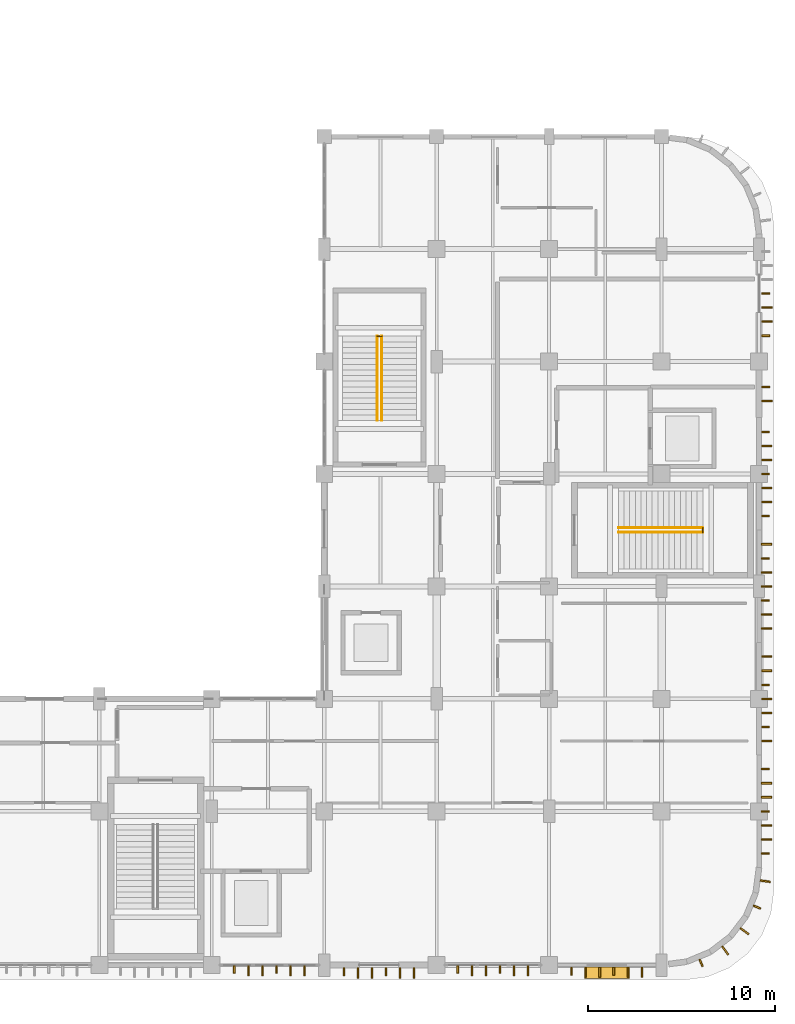
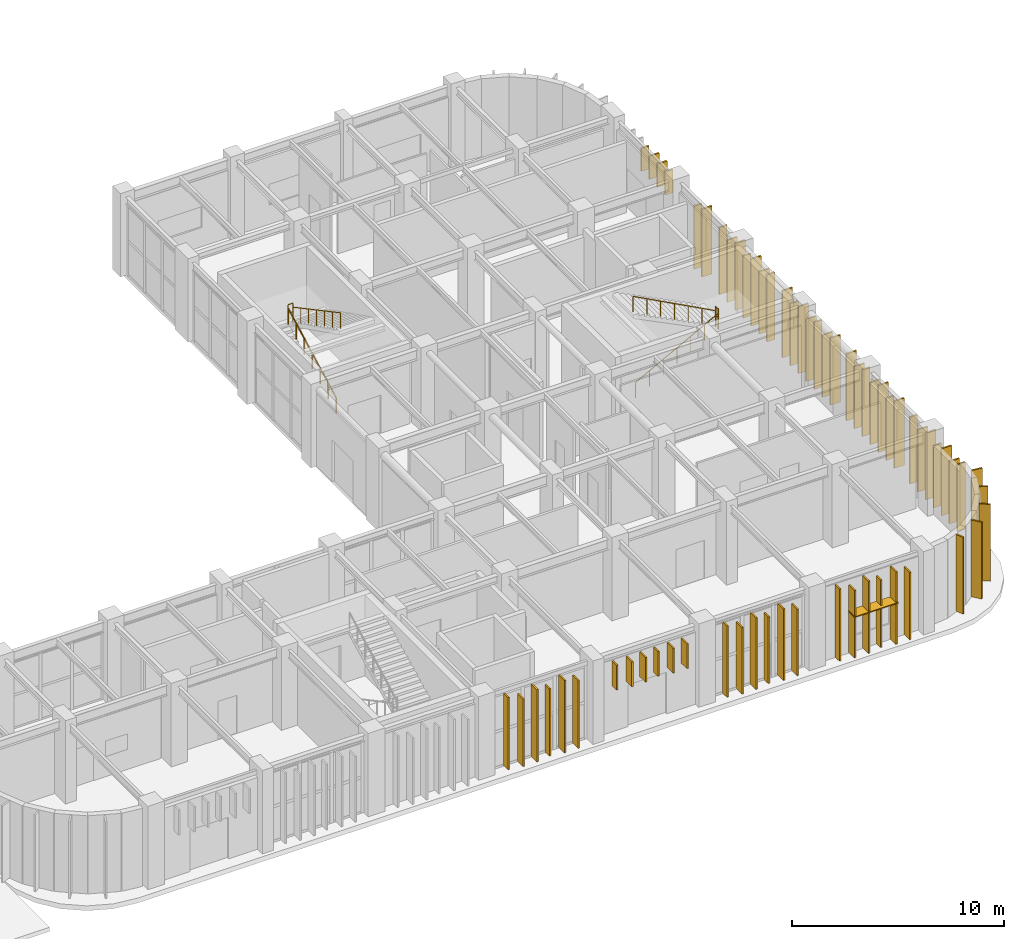
# One storey, part 73 of 76: 63 coverings, 6 railings, 1 shading device.
"""IFC4 building model written with IfcOpenShell, lengths in metres."""

from ifc_helpers import new_model, si_unit, direction, frame, origin, origin_2d, place, context, subcontext, project, spatial, rectangle, circle, extrude, material, layer, layer_set, type_object, element, save


model = new_model("IFC4")

# Units and contexts
model_context = context("Model", 3, precision=1e-05, world=origin(), true_north=direction((0.0, 1.0)))
body_context = subcontext(model_context, "Body", "Model", "MODEL_VIEW")
ifc_project = project(units=[si_unit("LENGTHUNIT", "METRE"), si_unit("AREAUNIT", "SQUARE_METRE"), si_unit("VOLUMEUNIT", "CUBIC_METRE"), si_unit("PLANEANGLEUNIT", "RADIAN"), si_unit("MASSUNIT", "GRAM", prefix="KILO")], contexts=[model_context])

# Site, building, storey
site_placement = place(None, origin())
site = spatial("IfcSite", under=ifc_project, at=site_placement, CompositionType="ELEMENT")
building_placement = place(site_placement, origin())
building = spatial("IfcBuilding", under=site, at=building_placement, Name="Varnakota Square Police Headquarters", CompositionType="ELEMENT")
storey_placement = place(building_placement, origin())
storey = spatial("IfcBuildingStorey", under=building, at=storey_placement, Name="L00", CompositionType="ELEMENT", Elevation=0.0)

# Coverings
ifc_material_1 = material(Name="White Anodised Aluminium Vertical Facade Blade 420", Category="aluminium")
ifc_layer_1 = layer(ifc_material_1, 0.0849609375, Name="White Anodised Aluminium Vertical Facade Blade 420")
ifc_layer_set_1 = layer_set([ifc_layer_1], Name="White Anodised Aluminium Vertical Facade Blade 420")
covering_type_1 = type_object("IfcCoveringType", Name="COV-FIN-420", PredefinedType="CLADDING", material=ifc_layer_set_1)
covering_1_placement = place(storey_placement, frame((133.199951171875, 0.5576171875, 0.0400390625), z_axis=(0.0, 0.0, 1.0), x_axis=(1.0, 0.0, 0.0)))
element("IfcCovering", 1, at=covering_1_placement, inside=storey, type_object=covering_type_1, Name="Vertical aluminium facade fin FIN-0157", PredefinedType="CLADDING", context=body_context, shape_type="SweptSolid", body=[
    extrude(rectangle(XDim=0.0849609375, YDim=0.419921875, at=origin_2d()), origin(), (0.0, 0.0, 1.0), 4.159912109375),
])
covering_2_placement = place(storey_placement, frame((135.449951171875, 0.5576171875, 0.0400390625), z_axis=(0.0, 0.0, 1.0), x_axis=(1.0, 0.0, 0.0)))
element("IfcCovering", 2, at=covering_2_placement, inside=storey, type_object=covering_type_1, Name="Vertical aluminium facade fin FIN-0160", PredefinedType="CLADDING", context=body_context, shape_type="SweptSolid", body=[
    extrude(rectangle(XDim=0.0849609375, YDim=0.419921875, at=origin_2d()), origin(), (0.0, 0.0, 1.0), 3.8798828125),
])
for number, where, z_axis, x_axis, name in (
    (3, (139.050048828125, 0.445068359375, 2.64990234375), (0.0, 0.0, 1.0), (1.0, 0.0, 0.0), "Vertical aluminium facade fin FIN-0163"),
    (4, (141.300048828125, 0.445068359375, 2.64990234375), (0.0, 0.0, 1.0), (1.0, 0.0, 0.0), "Vertical aluminium facade fin FIN-0166"),
):
    element("IfcCovering", number, at=place(storey_placement, frame(where, z_axis=z_axis, x_axis=x_axis)), inside=storey, type_object=covering_type_1, Name=name, PredefinedType="CLADDING", context=body_context, shape_type="SweptSolid", body=[
        extrude(rectangle(XDim=0.0849609375, YDim=0.419921875, at=origin_2d()), origin(), (0.0, 0.0, 1.0), 1.429931640625),
    ])
covering_3_placement = place(storey_placement, frame((145.125, 0.5576171875, 0.0400390625), z_axis=(0.0, 0.0, 1.0), x_axis=(1.0, 0.0, 0.0)))
element("IfcCovering", 5, at=covering_3_placement, inside=storey, type_object=covering_type_1, Name="Vertical aluminium facade fin FIN-0169", PredefinedType="CLADDING", context=body_context, shape_type="SweptSolid", body=[
    extrude(rectangle(XDim=0.0849609375, YDim=0.419921875, at=origin_2d()), origin(), (0.0, 0.0, 1.0), 4.110107421875),
])
covering_4_placement = place(storey_placement, frame((147.375, 0.5576171875, 0.0400390625), z_axis=(0.0, 0.0, 1.0), x_axis=(1.0, 0.0, 0.0)))
element("IfcCovering", 6, at=covering_4_placement, inside=storey, type_object=covering_type_1, Name="Vertical aluminium facade fin FIN-0172", PredefinedType="CLADDING", context=body_context, shape_type="SweptSolid", body=[
    extrude(rectangle(XDim=0.0849609375, YDim=0.419921875, at=origin_2d()), origin(), (0.0, 0.0, 1.0), 3.830078125),
])
covering_5_placement = place(storey_placement, frame((151.199951171875, 0.47509765625, 0.0400390625), z_axis=(0.0, 0.0, 1.0), x_axis=(1.0, 0.0, 0.0)))
element("IfcCovering", 7, at=covering_5_placement, inside=storey, type_object=covering_type_1, Name="Vertical aluminium facade fin FIN-0175", PredefinedType="CLADDING", context=body_context, shape_type="SweptSolid", body=[
    extrude(rectangle(XDim=0.0849609375, YDim=0.419921875, at=origin_2d()), origin(), (0.0, 0.0, 1.0), 4.159912109375),
])
covering_6_placement = place(storey_placement, frame((153.449951171875, 0.47509765625, 0.0400390625), z_axis=(0.0, 0.0, 1.0), x_axis=(1.0, 0.0, 0.0)))
element("IfcCovering", 8, at=covering_6_placement, inside=storey, type_object=covering_type_1, Name="Vertical aluminium facade fin FIN-0178", PredefinedType="CLADDING", context=body_context, shape_type="SweptSolid", body=[
    extrude(rectangle(XDim=0.0849609375, YDim=0.419921875, at=origin_2d()), origin(), (0.0, 0.0, 1.0), 3.8798828125),
])
covering_7_placement = place(storey_placement, frame((161.52490234375, 6.75, 0.0400390625), z_axis=(0.0, 0.0, 1.0), x_axis=(0.0, 1.0, 0.0)))
element("IfcCovering", 9, at=covering_7_placement, inside=storey, type_object=covering_type_1, Name="Vertical aluminium facade fin FIN-0181", PredefinedType="CLADDING", context=body_context, shape_type="SweptSolid", body=[
    extrude(rectangle(XDim=0.0849609375, YDim=0.419921875, at=origin_2d()), origin(), (0.0, 0.0, 1.0), 3.860107421875),
])
covering_8_placement = place(storey_placement, frame((161.52490234375, 9.0, 0.0400390625), z_axis=(0.0, 0.0, 1.0), x_axis=(0.0, 1.0, 0.0)))
element("IfcCovering", 10, at=covering_8_placement, inside=storey, type_object=covering_type_1, Name="Vertical aluminium facade fin FIN-0184", PredefinedType="CLADDING", context=body_context, shape_type="SweptSolid", body=[
    extrude(rectangle(XDim=0.0849609375, YDim=0.419921875, at=origin_2d()), origin(), (0.0, 0.0, 1.0), 3.580078125),
])
covering_9_placement = place(storey_placement, frame((161.52490234375, 11.25, 0.0400390625), z_axis=(0.0, 0.0, 1.0), x_axis=(0.0, 1.0, 0.0)))
element("IfcCovering", 11, at=covering_9_placement, inside=storey, type_object=covering_type_1, Name="Vertical aluminium facade fin FIN-0187", PredefinedType="CLADDING", context=body_context, shape_type="SweptSolid", body=[
    extrude(rectangle(XDim=0.0849609375, YDim=0.419921875, at=origin_2d()), origin(), (0.0, 0.0, 1.0), 3.860107421875),
])
covering_10_placement = place(storey_placement, frame((161.544921875, 13.5, 0.0400390625), z_axis=(0.0, 0.0, 1.0), x_axis=(0.0, 1.0, 0.0)))
element("IfcCovering", 12, at=covering_10_placement, inside=storey, type_object=covering_type_1, Name="Vertical aluminium facade fin FIN-0189", PredefinedType="CLADDING", context=body_context, shape_type="SweptSolid", body=[
    extrude(rectangle(XDim=0.0849609375, YDim=0.419921875, at=origin_2d()), origin(), (0.0, 0.0, 1.0), 3.580078125),
])
for number, where, z_axis, x_axis, name in (
    (13, (161.544921875, 15.75, 0.0400390625), (0.0, 0.0, 1.0), (0.0, 1.0, 0.0), "Vertical aluminium facade fin FIN-0192"),
    (14, (161.52490234375, 20.25, 0.0400390625), (0.0, 0.0, 1.0), (0.0, 1.0, 0.0), "Vertical aluminium facade fin FIN-0197"),
):
    element("IfcCovering", number, at=place(storey_placement, frame(where, z_axis=z_axis, x_axis=x_axis)), inside=storey, type_object=covering_type_1, Name=name, PredefinedType="CLADDING", context=body_context, shape_type="SweptSolid", body=[
        extrude(rectangle(XDim=0.0849609375, YDim=0.419921875, at=origin_2d()), origin(), (0.0, 0.0, 1.0), 3.860107421875),
    ])
covering_11_placement = place(storey_placement, frame((161.52490234375, 22.5, 0.0400390625), z_axis=(0.0, 0.0, 1.0), x_axis=(0.0, 1.0, 0.0)))
element("IfcCovering", 15, at=covering_11_placement, inside=storey, type_object=covering_type_1, Name="Vertical aluminium facade fin FIN-0200", PredefinedType="CLADDING", context=body_context, shape_type="SweptSolid", body=[
    extrude(rectangle(XDim=0.0849609375, YDim=0.419921875, at=origin_2d()), origin(), (0.0, 0.0, 1.0), 3.580078125),
])
covering_12_placement = place(storey_placement, frame((161.544921875, 24.75, 0.0400390625), z_axis=(0.0, 0.0, 1.0), x_axis=(0.0, 1.0, 0.0)))
element("IfcCovering", 16, at=covering_12_placement, inside=storey, type_object=covering_type_1, Name="Vertical aluminium facade fin FIN-0202", PredefinedType="CLADDING", context=body_context, shape_type="SweptSolid", body=[
    extrude(rectangle(XDim=0.0849609375, YDim=0.419921875, at=origin_2d()), origin(), (0.0, 0.0, 1.0), 3.860107421875),
])
covering_13_placement = place(storey_placement, frame((161.544921875, 27.0, 0.0400390625), z_axis=(0.0, 0.0, 1.0), x_axis=(0.0, 1.0, 0.0)))
element("IfcCovering", 17, at=covering_13_placement, inside=storey, type_object=covering_type_1, Name="Vertical aluminium facade fin FIN-0205", PredefinedType="CLADDING", context=body_context, shape_type="SweptSolid", body=[
    extrude(rectangle(XDim=0.0849609375, YDim=0.419921875, at=origin_2d()), origin(), (0.0, 0.0, 1.0), 3.580078125),
])
covering_14_placement = place(storey_placement, frame((161.544921875, 29.25, 0.0400390625), z_axis=(0.0, 0.0, 1.0), x_axis=(0.0, 1.0, 0.0)))
element("IfcCovering", 18, at=covering_14_placement, inside=storey, type_object=covering_type_1, Name="Vertical aluminium facade fin FIN-0208", PredefinedType="CLADDING", context=body_context, shape_type="SweptSolid", body=[
    extrude(rectangle(XDim=0.0849609375, YDim=0.419921875, at=origin_2d()), origin(), (0.0, 0.0, 1.0), 3.860107421875),
])
covering_15_placement = place(storey_placement, frame((161.554931640625, 31.64794921875, 0.0400390625), z_axis=(0.0, 0.0, 1.0), x_axis=(0.0, 1.0, 0.0)))
element("IfcCovering", 19, at=covering_15_placement, inside=storey, type_object=covering_type_1, Name="Vertical aluminium facade fin FIN-0210", PredefinedType="CLADDING", context=body_context, shape_type="SweptSolid", body=[
    extrude(rectangle(XDim=0.0849609375, YDim=0.419921875, at=origin_2d()), origin(), (0.0, 0.0, 1.0), 3.6298828125),
])
for number, where, z_axis, x_axis, name in (
    (20, (161.554931640625, 34.376953125, 2.64990234375), (0.0, 0.0, 1.0), (0.0, 1.0, 0.0), "Vertical aluminium facade fin FIN-0211"),
    (21, (161.554931640625, 36.626953125, 2.64990234375), (0.0, 0.0, 1.0), (0.0, 1.0, 0.0), "Vertical aluminium facade fin FIN-0214"),
):
    element("IfcCovering", number, at=place(storey_placement, frame(where, z_axis=z_axis, x_axis=x_axis)), inside=storey, type_object=covering_type_1, Name=name, PredefinedType="CLADDING", context=body_context, shape_type="SweptSolid", body=[
        extrude(rectangle(XDim=0.0849609375, YDim=0.419921875, at=origin_2d()), origin(), (0.0, 0.0, 1.0), 1.330078125),
    ])
for number, where, z_axis, x_axis, name in (
    (22, (158.10888671875, 0.908935546875, 0.0400390625), (0.0, 0.0, 1.0), (0.923879532511, 0.382683432365, 0.0), "Vertical aluminium facade fin FIN-0223"),
    (23, (161.091064453125, 3.89111328125, 0.0400390625), (0.0, 0.0, 1.0), (0.382683432365, 0.923879532511, 0.0), "Vertical aluminium facade fin FIN-0226"),
):
    element("IfcCovering", number, at=place(storey_placement, frame(where, z_axis=z_axis, x_axis=x_axis)), inside=storey, type_object=covering_type_1, Name=name, PredefinedType="CLADDING", context=body_context, shape_type="SweptSolid", body=[
        extrude(rectangle(XDim=0.0849609375, YDim=0.419921875, at=origin_2d()), origin(), (0.0, 0.0, 1.0), 4.4150390625),
    ])
ifc_material_2 = material(Name="White Anodised Aluminium Vertical Facade Blade 550", Category="aluminium")
ifc_layer_2 = layer(ifc_material_2, 0.0849609375, Name="White Anodised Aluminium Vertical Facade Blade 550")
ifc_layer_set_2 = layer_set([ifc_layer_2], Name="White Anodised Aluminium Vertical Facade Blade 550")
covering_type_2 = type_object("IfcCoveringType", Name="COV-FIN-550", PredefinedType="CLADDING", material=ifc_layer_set_2)
covering_16_placement = place(storey_placement, frame((133.949951171875, 0.492431640625, 0.0400390625), z_axis=(0.0, 0.0, 1.0), x_axis=(1.0, 0.0, 0.0)))
element("IfcCovering", 24, at=covering_16_placement, inside=storey, type_object=covering_type_2, Name="Vertical aluminium facade fin FIN-0158", PredefinedType="CLADDING", context=body_context, shape_type="SweptSolid", body=[
    extrude(rectangle(XDim=0.0849609375, YDim=0.550048828125, at=origin_2d()), origin(), (0.0, 0.0, 1.0), 3.8798828125),
])
for number, where, z_axis, x_axis, name in (
    (25, (134.699951171875, 0.492431640625, 0.0400390625), (0.0, 0.0, 1.0), (1.0, 0.0, 0.0), "Vertical aluminium facade fin FIN-0159"),
    (26, (136.199951171875, 0.492431640625, 0.0400390625), (0.0, 0.0, 1.0), (1.0, 0.0, 0.0), "Vertical aluminium facade fin FIN-0161"),
):
    element("IfcCovering", number, at=place(storey_placement, frame(where, z_axis=z_axis, x_axis=x_axis)), inside=storey, type_object=covering_type_2, Name=name, PredefinedType="CLADDING", context=body_context, shape_type="SweptSolid", body=[
        extrude(rectangle(XDim=0.0849609375, YDim=0.550048828125, at=origin_2d()), origin(), (0.0, 0.0, 1.0), 4.159912109375),
    ])
covering_17_placement = place(storey_placement, frame((136.949951171875, 0.492431640625, 0.0400390625), z_axis=(0.0, 0.0, 1.0), x_axis=(1.0, 0.0, 0.0)))
element("IfcCovering", 27, at=covering_17_placement, inside=storey, type_object=covering_type_2, Name="Vertical aluminium facade fin FIN-0162", PredefinedType="CLADDING", context=body_context, shape_type="SweptSolid", body=[
    extrude(rectangle(XDim=0.0849609375, YDim=0.550048828125, at=origin_2d()), origin(), (0.0, 0.0, 1.0), 3.8798828125),
])
for number, where, z_axis, x_axis, name in (
    (28, (139.800048828125, 0.3798828125, 2.64990234375), (0.0, 0.0, 1.0), (1.0, 0.0, 0.0), "Vertical aluminium facade fin FIN-0164"),
    (29, (140.550048828125, 0.3798828125, 2.64990234375), (0.0, 0.0, 1.0), (1.0, 0.0, 0.0), "Vertical aluminium facade fin FIN-0165"),
    (30, (142.050048828125, 0.3798828125, 2.64990234375), (0.0, 0.0, 1.0), (1.0, 0.0, 0.0), "Vertical aluminium facade fin FIN-0167"),
    (31, (142.800048828125, 0.3798828125, 2.64990234375), (0.0, 0.0, 1.0), (1.0, 0.0, 0.0), "Vertical aluminium facade fin FIN-0168"),
):
    element("IfcCovering", number, at=place(storey_placement, frame(where, z_axis=z_axis, x_axis=x_axis)), inside=storey, type_object=covering_type_2, Name=name, PredefinedType="CLADDING", context=body_context, shape_type="SweptSolid", body=[
        extrude(rectangle(XDim=0.0849609375, YDim=0.550048828125, at=origin_2d()), origin(), (0.0, 0.0, 1.0), 1.429931640625),
    ])
covering_18_placement = place(storey_placement, frame((145.875, 0.492431640625, 0.0400390625), z_axis=(0.0, 0.0, 1.0), x_axis=(1.0, 0.0, 0.0)))
element("IfcCovering", 32, at=covering_18_placement, inside=storey, type_object=covering_type_2, Name="Vertical aluminium facade fin FIN-0170", PredefinedType="CLADDING", context=body_context, shape_type="SweptSolid", body=[
    extrude(rectangle(XDim=0.0849609375, YDim=0.550048828125, at=origin_2d()), origin(), (0.0, 0.0, 1.0), 3.830078125),
])
for number, where, z_axis, x_axis, name in (
    (33, (146.625, 0.492431640625, 0.0400390625), (0.0, 0.0, 1.0), (1.0, 0.0, 0.0), "Vertical aluminium facade fin FIN-0171"),
    (34, (148.125, 0.492431640625, 0.0400390625), (0.0, 0.0, 1.0), (1.0, 0.0, 0.0), "Vertical aluminium facade fin FIN-0173"),
):
    element("IfcCovering", number, at=place(storey_placement, frame(where, z_axis=z_axis, x_axis=x_axis)), inside=storey, type_object=covering_type_2, Name=name, PredefinedType="CLADDING", context=body_context, shape_type="SweptSolid", body=[
        extrude(rectangle(XDim=0.0849609375, YDim=0.550048828125, at=origin_2d()), origin(), (0.0, 0.0, 1.0), 4.110107421875),
    ])
covering_19_placement = place(storey_placement, frame((148.875, 0.492431640625, 0.0400390625), z_axis=(0.0, 0.0, 1.0), x_axis=(1.0, 0.0, 0.0)))
element("IfcCovering", 35, at=covering_19_placement, inside=storey, type_object=covering_type_2, Name="Vertical aluminium facade fin FIN-0174", PredefinedType="CLADDING", context=body_context, shape_type="SweptSolid", body=[
    extrude(rectangle(XDim=0.0849609375, YDim=0.550048828125, at=origin_2d()), origin(), (0.0, 0.0, 1.0), 3.830078125),
])
covering_20_placement = place(storey_placement, frame((151.949951171875, 0.409912109375, 0.0400390625), z_axis=(0.0, 0.0, 1.0), x_axis=(1.0, 0.0, 0.0)))
element("IfcCovering", 36, at=covering_20_placement, inside=storey, type_object=covering_type_2, Name="Vertical aluminium facade fin FIN-0176", PredefinedType="CLADDING", context=body_context, shape_type="SweptSolid", body=[
    extrude(rectangle(XDim=0.0849609375, YDim=0.550048828125, at=origin_2d()), origin(), (0.0, 0.0, 1.0), 3.8798828125),
])
for number, where, z_axis, x_axis, name in (
    (37, (152.699951171875, 0.409912109375, 0.0400390625), (0.0, 0.0, 1.0), (1.0, 0.0, 0.0), "Vertical aluminium facade fin FIN-0177"),
    (38, (154.199951171875, 0.409912109375, 0.0400390625), (0.0, 0.0, 1.0), (1.0, 0.0, 0.0), "Vertical aluminium facade fin FIN-0179"),
):
    element("IfcCovering", number, at=place(storey_placement, frame(where, z_axis=z_axis, x_axis=x_axis)), inside=storey, type_object=covering_type_2, Name=name, PredefinedType="CLADDING", context=body_context, shape_type="SweptSolid", body=[
        extrude(rectangle(XDim=0.0849609375, YDim=0.550048828125, at=origin_2d()), origin(), (0.0, 0.0, 1.0), 4.159912109375),
    ])
covering_21_placement = place(storey_placement, frame((154.949951171875, 0.409912109375, 0.0400390625), z_axis=(0.0, 0.0, 1.0), x_axis=(1.0, 0.0, 0.0)))
element("IfcCovering", 39, at=covering_21_placement, inside=storey, type_object=covering_type_2, Name="Vertical aluminium facade fin FIN-0180", PredefinedType="CLADDING", context=body_context, shape_type="SweptSolid", body=[
    extrude(rectangle(XDim=0.0849609375, YDim=0.550048828125, at=origin_2d()), origin(), (0.0, 0.0, 1.0), 3.8798828125),
])
covering_22_placement = place(storey_placement, frame((161.590087890625, 7.5, 0.0400390625), z_axis=(0.0, 0.0, 1.0), x_axis=(0.0, 1.0, 0.0)))
element("IfcCovering", 40, at=covering_22_placement, inside=storey, type_object=covering_type_2, Name="Vertical aluminium facade fin FIN-0182", PredefinedType="CLADDING", context=body_context, shape_type="SweptSolid", body=[
    extrude(rectangle(XDim=0.0849609375, YDim=0.550048828125, at=origin_2d()), origin(), (0.0, 0.0, 1.0), 3.580078125),
])
for number, where, z_axis, x_axis, name in (
    (41, (161.590087890625, 8.25, 0.0400390625), (0.0, 0.0, 1.0), (0.0, 1.0, 0.0), "Vertical aluminium facade fin FIN-0183"),
    (42, (161.590087890625, 9.75, 0.0400390625), (0.0, 0.0, 1.0), (0.0, 1.0, 0.0), "Vertical aluminium facade fin FIN-0185"),
):
    element("IfcCovering", number, at=place(storey_placement, frame(where, z_axis=z_axis, x_axis=x_axis)), inside=storey, type_object=covering_type_2, Name=name, PredefinedType="CLADDING", context=body_context, shape_type="SweptSolid", body=[
        extrude(rectangle(XDim=0.0849609375, YDim=0.550048828125, at=origin_2d()), origin(), (0.0, 0.0, 1.0), 3.860107421875),
    ])
covering_23_placement = place(storey_placement, frame((161.590087890625, 10.5, 0.0400390625), z_axis=(0.0, 0.0, 1.0), x_axis=(0.0, 1.0, 0.0)))
element("IfcCovering", 43, at=covering_23_placement, inside=storey, type_object=covering_type_2, Name="Vertical aluminium facade fin FIN-0186", PredefinedType="CLADDING", context=body_context, shape_type="SweptSolid", body=[
    extrude(rectangle(XDim=0.0849609375, YDim=0.550048828125, at=origin_2d()), origin(), (0.0, 0.0, 1.0), 3.580078125),
])
for number, where, z_axis, x_axis, name in (
    (44, (161.610107421875, 12.75, 0.0400390625), (0.0, 0.0, 1.0), (0.0, 1.0, 0.0), "Vertical aluminium facade fin FIN-0188"),
    (45, (161.610107421875, 14.25, 0.0400390625), (0.0, 0.0, 1.0), (0.0, 1.0, 0.0), "Vertical aluminium facade fin FIN-0190"),
):
    element("IfcCovering", number, at=place(storey_placement, frame(where, z_axis=z_axis, x_axis=x_axis)), inside=storey, type_object=covering_type_2, Name=name, PredefinedType="CLADDING", context=body_context, shape_type="SweptSolid", body=[
        extrude(rectangle(XDim=0.0849609375, YDim=0.550048828125, at=origin_2d()), origin(), (0.0, 0.0, 1.0), 3.860107421875),
    ])
for number, where, z_axis, x_axis, name in (
    (46, (161.610107421875, 15.0, 0.0400390625), (0.0, 0.0, 1.0), (0.0, 1.0, 0.0), "Vertical aluminium facade fin FIN-0191"),
    (47, (161.610107421875, 16.5, 0.0400390625), (0.0, 0.0, 1.0), (0.0, 1.0, 0.0), "Vertical aluminium facade fin FIN-0193"),
):
    element("IfcCovering", number, at=place(storey_placement, frame(where, z_axis=z_axis, x_axis=x_axis)), inside=storey, type_object=covering_type_2, Name=name, PredefinedType="CLADDING", context=body_context, shape_type="SweptSolid", body=[
        extrude(rectangle(XDim=0.0849609375, YDim=0.550048828125, at=origin_2d()), origin(), (0.0, 0.0, 1.0), 3.580078125),
    ])
for number, where, z_axis, x_axis, name in (
    (48, (161.610107421875, 17.25, 0.0400390625), (0.0, 0.0, 1.0), (0.0, 1.0, 0.0), "Vertical aluminium facade fin FIN-0194"),
    (49, (161.590087890625, 18.75, 0.0400390625), (0.0, 0.0, 1.0), (0.0, 1.0, 0.0), "Vertical aluminium facade fin FIN-0195"),
):
    element("IfcCovering", number, at=place(storey_placement, frame(where, z_axis=z_axis, x_axis=x_axis)), inside=storey, type_object=covering_type_2, Name=name, PredefinedType="CLADDING", context=body_context, shape_type="SweptSolid", body=[
        extrude(rectangle(XDim=0.0849609375, YDim=0.550048828125, at=origin_2d()), origin(), (0.0, 0.0, 1.0), 3.860107421875),
    ])
for number, where, z_axis, x_axis, name in (
    (50, (161.590087890625, 19.5, 0.0400390625), (0.0, 0.0, 1.0), (0.0, 1.0, 0.0), "Vertical aluminium facade fin FIN-0196"),
    (51, (161.590087890625, 21.0, 0.0400390625), (0.0, 0.0, 1.0), (0.0, 1.0, 0.0), "Vertical aluminium facade fin FIN-0198"),
):
    element("IfcCovering", number, at=place(storey_placement, frame(where, z_axis=z_axis, x_axis=x_axis)), inside=storey, type_object=covering_type_2, Name=name, PredefinedType="CLADDING", context=body_context, shape_type="SweptSolid", body=[
        extrude(rectangle(XDim=0.0849609375, YDim=0.550048828125, at=origin_2d()), origin(), (0.0, 0.0, 1.0), 3.580078125),
    ])
for number, where, z_axis, x_axis, name in (
    (52, (161.590087890625, 21.75, 0.0400390625), (0.0, 0.0, 1.0), (0.0, 1.0, 0.0), "Vertical aluminium facade fin FIN-0199"),
    (53, (161.590087890625, 23.25, 0.0400390625), (0.0, 0.0, 1.0), (0.0, 1.0, 0.0), "Vertical aluminium facade fin FIN-0201"),
):
    element("IfcCovering", number, at=place(storey_placement, frame(where, z_axis=z_axis, x_axis=x_axis)), inside=storey, type_object=covering_type_2, Name=name, PredefinedType="CLADDING", context=body_context, shape_type="SweptSolid", body=[
        extrude(rectangle(XDim=0.0849609375, YDim=0.550048828125, at=origin_2d()), origin(), (0.0, 0.0, 1.0), 3.860107421875),
    ])
covering_24_placement = place(storey_placement, frame((161.610107421875, 25.5, 0.0400390625), z_axis=(0.0, 0.0, 1.0), x_axis=(0.0, 1.0, 0.0)))
element("IfcCovering", 54, at=covering_24_placement, inside=storey, type_object=covering_type_2, Name="Vertical aluminium facade fin FIN-0203", PredefinedType="CLADDING", context=body_context, shape_type="SweptSolid", body=[
    extrude(rectangle(XDim=0.0849609375, YDim=0.550048828125, at=origin_2d()), origin(), (0.0, 0.0, 1.0), 3.580078125),
])
for number, where, z_axis, x_axis, name in (
    (55, (161.610107421875, 26.25, 0.0400390625), (0.0, 0.0, 1.0), (0.0, 1.0, 0.0), "Vertical aluminium facade fin FIN-0204"),
    (56, (161.610107421875, 27.75, 0.0400390625), (0.0, 0.0, 1.0), (0.0, 1.0, 0.0), "Vertical aluminium facade fin FIN-0206"),
):
    element("IfcCovering", number, at=place(storey_placement, frame(where, z_axis=z_axis, x_axis=x_axis)), inside=storey, type_object=covering_type_2, Name=name, PredefinedType="CLADDING", context=body_context, shape_type="SweptSolid", body=[
        extrude(rectangle(XDim=0.0849609375, YDim=0.550048828125, at=origin_2d()), origin(), (0.0, 0.0, 1.0), 3.860107421875),
    ])
covering_25_placement = place(storey_placement, frame((161.610107421875, 28.5, 0.0400390625), z_axis=(0.0, 0.0, 1.0), x_axis=(0.0, 1.0, 0.0)))
element("IfcCovering", 57, at=covering_25_placement, inside=storey, type_object=covering_type_2, Name="Vertical aluminium facade fin FIN-0207", PredefinedType="CLADDING", context=body_context, shape_type="SweptSolid", body=[
    extrude(rectangle(XDim=0.0849609375, YDim=0.550048828125, at=origin_2d()), origin(), (0.0, 0.0, 1.0), 3.580078125),
])
covering_26_placement = place(storey_placement, frame((161.6201171875, 30.89794921875, 0.0400390625), z_axis=(0.0, 0.0, 1.0), x_axis=(0.0, 1.0, 0.0)))
element("IfcCovering", 58, at=covering_26_placement, inside=storey, type_object=covering_type_2, Name="Vertical aluminium facade fin FIN-0209", PredefinedType="CLADDING", context=body_context, shape_type="SweptSolid", body=[
    extrude(rectangle(XDim=0.0849609375, YDim=0.550048828125, at=origin_2d()), origin(), (0.0, 0.0, 1.0), 3.909912109375),
])
for number, where, z_axis, x_axis, name in (
    (59, (161.6201171875, 35.126953125, 2.64990234375), (0.0, 0.0, 1.0), (0.0, 1.0, 0.0), "Vertical aluminium facade fin FIN-0212"),
    (60, (161.6201171875, 35.876953125, 2.64990234375), (0.0, 0.0, 1.0), (0.0, 1.0, 0.0), "Vertical aluminium facade fin FIN-0213"),
):
    element("IfcCovering", number, at=place(storey_placement, frame(where, z_axis=z_axis, x_axis=x_axis)), inside=storey, type_object=covering_type_2, Name=name, PredefinedType="CLADDING", context=body_context, shape_type="SweptSolid", body=[
        extrude(rectangle(XDim=0.0849609375, YDim=0.550048828125, at=origin_2d()), origin(), (0.0, 0.0, 1.0), 1.330078125),
    ])
for number, where, z_axis, x_axis, name in (
    (61, (159.394287109375, 1.57666015625, 0.0400390625), (0.0, 0.0, 1.0), (0.793353340291, 0.608761429009, 0.0), "Vertical aluminium facade fin FIN-0224"),
    (62, (160.42333984375, 2.605712890625, 0.0400390625), (0.0, 0.0, 1.0), (0.608761429009, 0.793353340291, 0.0), "Vertical aluminium facade fin FIN-0225"),
    (63, (161.52783203125, 5.272216796875, 0.0400390625), (0.0, 0.0, 1.0), (0.13052619222, 0.991444861374, 0.0), "Vertical aluminium facade fin FIN-0227"),
):
    element("IfcCovering", number, at=place(storey_placement, frame(where, z_axis=z_axis, x_axis=x_axis)), inside=storey, type_object=covering_type_2, Name=name, PredefinedType="CLADDING", context=body_context, shape_type="SweptSolid", body=[
        extrude(rectangle(XDim=0.0849609375, YDim=0.550048828125, at=origin_2d()), origin(), (0.0, 0.0, 1.0), 4.4150390625),
    ])

# Railings
ifc_material_3 = material(Name="Brushed Stainless Steel Tubular Handrail", Category="steel")
railing_type_1 = type_object("IfcRailingType", Name="RL-HND-920", PredefinedType="HANDRAIL", material=ifc_material_3)
railing_1_placement = place(storey_placement, frame((153.699951171875, 23.8798828125, 0.0)))
element("IfcRailing", 64, at=railing_1_placement, inside=storey, type_object=railing_type_1, Name="Stair flight handrail HR-L00-015", PredefinedType="HANDRAIL", context=body_context, shape_type="SweptSolid", body=[
    extrude(circle(Radius=0.02392578125, at=origin_2d()), frame((0.0, 0.0, 0.89599609375), z_axis=(0.882392687573, 0.0, 0.470513703219), x_axis=(0.0, 1.0, 0.0)), (0.0, 0.0, 1.0), 5.1005859375),
    extrude(circle(Radius=0.02099609375, at=origin_2d()), origin(), (0.0, 0.0, 1.0), 0.871826171875),
    extrude(circle(Radius=0.02099609375, at=origin_2d()), frame((0.75, 0.0, 0.39990234375)), (0.0, 0.0, 1.0), 0.871826171875),
    extrude(circle(Radius=0.02099609375, at=origin_2d()), frame((1.500244140625, 0.0, 0.800048828125)), (0.0, 0.0, 1.0), 0.871826171875),
    extrude(circle(Radius=0.02099609375, at=origin_2d()), frame((2.25048828125, 0.0, 1.199951171875)), (0.0, 0.0, 1.0), 0.871826171875),
    extrude(circle(Radius=0.02099609375, at=origin_2d()), frame((3.00048828125, 0.0, 1.599853515625)), (0.0, 0.0, 1.0), 0.871826171875),
    extrude(circle(Radius=0.02099609375, at=origin_2d()), frame((3.75048828125, 0.0, 2.0)), (0.0, 0.0, 1.0), 0.871826171875),
    extrude(circle(Radius=0.02099609375, at=origin_2d()), frame((4.500732421875, 0.0, 2.39990234375)), (0.0, 0.0, 1.0), 0.871826171875),
])
railing_2_placement = place(storey_placement, frame((158.20068359375, 24.1201171875, 2.39990234375)))
element("IfcRailing", 65, at=railing_2_placement, inside=storey, type_object=railing_type_1, Name="Stair flight handrail HR-L00-016", PredefinedType="HANDRAIL", context=body_context, shape_type="SweptSolid", body=[
    extrude(circle(Radius=0.02392578125, at=origin_2d()), frame((0.0, 0.0, 0.89599609375), z_axis=(-0.882372814714, 0.0, 0.470550970516), x_axis=(0.0, -1.0, 0.0)), (0.0, 0.0, 1.0), 5.100830078125),
    extrude(circle(Radius=0.02099609375, at=origin_2d()), origin(), (0.0, 0.0, 1.0), 0.871826171875),
    extrude(circle(Radius=0.02099609375, at=origin_2d()), frame((-0.75, 0.0, 0.39990234375)), (0.0, 0.0, 1.0), 0.871826171875),
    extrude(circle(Radius=0.02099609375, at=origin_2d()), frame((-1.500244140625, 0.0, 0.800048828125)), (0.0, 0.0, 1.0), 0.871826171875),
    extrude(circle(Radius=0.02099609375, at=origin_2d()), frame((-2.25048828125, 0.0, 1.2001953125)), (0.0, 0.0, 1.0), 0.871826171875),
    extrude(circle(Radius=0.02099609375, at=origin_2d()), frame((-3.00048828125, 0.0, 1.60009765625)), (0.0, 0.0, 1.0), 0.871826171875),
    extrude(circle(Radius=0.02099609375, at=origin_2d()), frame((-3.75048828125, 0.0, 2.0)), (0.0, 0.0, 1.0), 0.871826171875),
    extrude(circle(Radius=0.02099609375, at=origin_2d()), frame((-4.500732421875, 0.0, 2.400146484375)), (0.0, 0.0, 1.0), 0.871826171875),
])
railing_3_placement = place(storey_placement, frame((140.829833984375, 29.85009765625, 0.0)))
element("IfcRailing", 66, at=railing_3_placement, inside=storey, type_object=railing_type_1, Name="Stair flight handrail HR-L00-029", PredefinedType="HANDRAIL", context=body_context, shape_type="SweptSolid", body=[
    extrude(circle(Radius=0.02392578125, at=origin_2d()), frame((0.0, 0.0, 0.89599609375), z_axis=(0.0, 0.882392687573, 0.470513703219), x_axis=(-1.0, 0.0, 0.0)), (0.0, 0.0, 1.0), 5.1005859375),
    extrude(circle(Radius=0.02099609375, at=origin_2d()), origin(), (0.0, 0.0, 1.0), 0.871826171875),
    extrude(circle(Radius=0.02099609375, at=origin_2d()), frame((0.0, 0.75, 0.39990234375)), (0.0, 0.0, 1.0), 0.871826171875),
    extrude(circle(Radius=0.02099609375, at=origin_2d()), frame((0.0, 1.500244140625, 0.800048828125)), (0.0, 0.0, 1.0), 0.871826171875),
    extrude(circle(Radius=0.02099609375, at=origin_2d()), frame((0.0, 2.25048828125, 1.199951171875)), (0.0, 0.0, 1.0), 0.871826171875),
    extrude(circle(Radius=0.02099609375, at=origin_2d()), frame((0.0, 3.00048828125, 1.599853515625)), (0.0, 0.0, 1.0), 0.871826171875),
    extrude(circle(Radius=0.02099609375, at=origin_2d()), frame((0.0, 3.75048828125, 2.0)), (0.0, 0.0, 1.0), 0.871826171875),
    extrude(circle(Radius=0.02099609375, at=origin_2d()), frame((0.0, 4.500732421875, 2.39990234375)), (0.0, 0.0, 1.0), 0.871826171875),
])
railing_4_placement = place(storey_placement, frame((141.070068359375, 34.350830078125, 2.39990234375)))
element("IfcRailing", 67, at=railing_4_placement, inside=storey, type_object=railing_type_1, Name="Stair flight handrail HR-L00-030", PredefinedType="HANDRAIL", context=body_context, shape_type="SweptSolid", body=[
    extrude(circle(Radius=0.02392578125, at=origin_2d()), frame((0.0, 0.0, 0.89599609375), z_axis=(0.0, -0.882372814714, 0.470550970516), x_axis=(1.0, 0.0, 0.0)), (0.0, 0.0, 1.0), 5.100830078125),
    extrude(circle(Radius=0.02099609375, at=origin_2d()), origin(), (0.0, 0.0, 1.0), 0.871826171875),
    extrude(circle(Radius=0.02099609375, at=origin_2d()), frame((0.0, -0.75, 0.39990234375)), (0.0, 0.0, 1.0), 0.871826171875),
    extrude(circle(Radius=0.02099609375, at=origin_2d()), frame((0.0, -1.500244140625, 0.800048828125)), (0.0, 0.0, 1.0), 0.871826171875),
    extrude(circle(Radius=0.02099609375, at=origin_2d()), frame((0.0, -2.25048828125, 1.2001953125)), (0.0, 0.0, 1.0), 0.871826171875),
    extrude(circle(Radius=0.02099609375, at=origin_2d()), frame((0.0, -3.00048828125, 1.60009765625)), (0.0, 0.0, 1.0), 0.871826171875),
    extrude(circle(Radius=0.02099609375, at=origin_2d()), frame((0.0, -3.75048828125, 2.0)), (0.0, 0.0, 1.0), 0.871826171875),
    extrude(circle(Radius=0.02099609375, at=origin_2d()), frame((0.0, -4.500732421875, 2.400146484375)), (0.0, 0.0, 1.0), 0.871826171875),
])
ifc_material_4 = material(Name="Laminated Glass and Stainless Steel Balustrade", Category="steel")
railing_type_2 = type_object("IfcRailingType", Name="RL-INT-1150", PredefinedType="BALUSTRADE", material=ifc_material_4)
railing_5_placement = place(storey_placement, frame((158.20068359375, 23.869873046875, 2.39990234375)))
element("IfcRailing", 68, at=railing_5_placement, inside=storey, type_object=railing_type_2, Name="Half-landing well guard C2 L00", PredefinedType="BALUSTRADE", context=body_context, shape_type="SweptSolid", body=[
    extrude(circle(Radius=0.02392578125, at=origin_2d()), frame((0.0, 0.0, 1.1259765625), z_axis=(0.0, 1.0, 0.0), x_axis=(-1.0, 0.0, 0.0)), (0.0, 0.0, 1.0), 0.26025390625),
    extrude(circle(Radius=0.01806640625, at=origin_2d()), frame((0.0, 0.0, 0.63232421875), z_axis=(0.0, 1.0, 0.0), x_axis=(-1.0, 0.0, 0.0)), (0.0, 0.0, 1.0), 0.26025390625),
    extrude(circle(Radius=0.02099609375, at=origin_2d()), origin(), (0.0, 0.0, 1.0), 1.101806640625),
    extrude(circle(Radius=0.02099609375, at=origin_2d()), frame((0.0, 0.26025390625, 0.0)), (0.0, 0.0, 1.0), 1.101806640625),
])
railing_6_placement = place(storey_placement, frame((140.81982421875, 34.350830078125, 2.39990234375)))
element("IfcRailing", 69, at=railing_6_placement, inside=storey, type_object=railing_type_2, Name="Half-landing well guard C3 L00", PredefinedType="BALUSTRADE", context=body_context, shape_type="SweptSolid", body=[
    extrude(circle(Radius=0.02392578125, at=origin_2d()), frame((0.0, 0.0, 1.1259765625), z_axis=(1.0, 0.0, 0.0), x_axis=(0.0, 1.0, 0.0)), (0.0, 0.0, 1.0), 0.26025390625),
    extrude(circle(Radius=0.01806640625, at=origin_2d()), frame((0.0, 0.0, 0.63232421875), z_axis=(1.0, 0.0, 0.0), x_axis=(0.0, 1.0, 0.0)), (0.0, 0.0, 1.0), 0.26025390625),
    extrude(circle(Radius=0.02099609375, at=origin_2d()), origin(), (0.0, 0.0, 1.0), 1.101806640625),
    extrude(circle(Radius=0.02099609375, at=origin_2d()), frame((0.26025390625, 0.0, 0.0)), (0.0, 0.0, 1.0), 1.101806640625),
])

# Shading device
ifc_material_5 = material(Name="Anodised Aluminium Horizontal Brise-Soleil", Category="aluminium")
ifc_layer_3 = layer(ifc_material_5, 0.06005859375, Name="Anodised Aluminium Horizontal Brise-Soleil")
ifc_layer_set_3 = layer_set([ifc_layer_3], Name="Anodised Aluminium Horizontal Brise-Soleil")
shading_device_type = type_object("IfcShadingDeviceType", Name="SHD-JAL-600", PredefinedType="JALOUSIE", material=ifc_layer_set_3)
shading_device_placement = place(storey_placement, frame((153.074951171875, 0.382080078125, 2.39990234375), z_axis=(0.0, 0.0, 1.0), x_axis=(1.0, 0.0, 0.0)))
element("IfcShadingDevice", 70, at=shading_device_placement, inside=storey, type_object=shading_device_type, Name="Horizontal sunshade SHD-013", PredefinedType="JALOUSIE", context=body_context, shape_type="SweptSolid", body=[
    extrude(rectangle(XDim=2.39990234375, YDim=0.60009765625, at=origin_2d()), origin(), (0.0, 0.0, 1.0), 0.06005859375),
])

save(model, "model.ifc")
